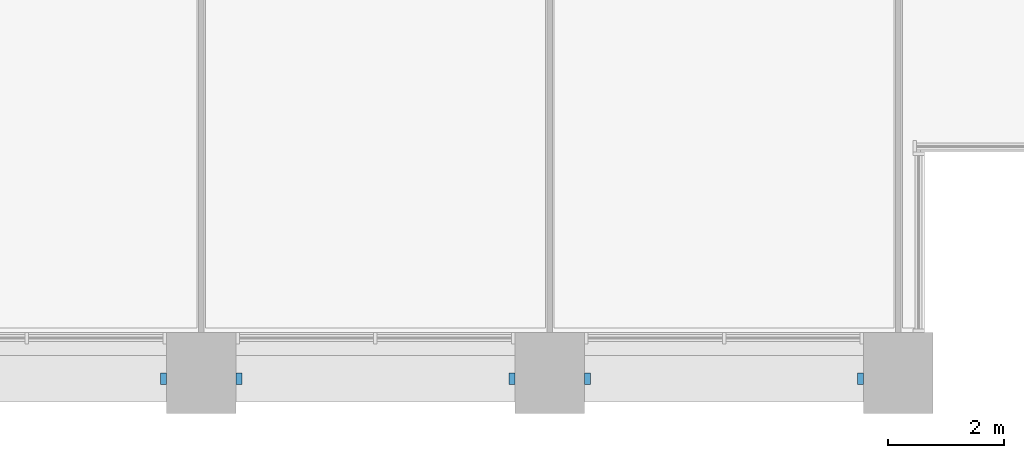
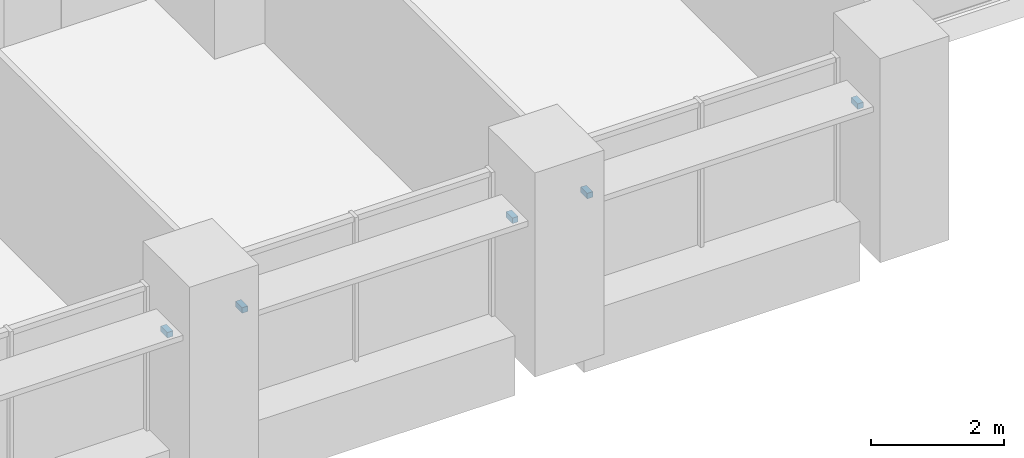
# One storey, part 16 of 18: 5 discrete accessories.
"""IFC4 building model written with IfcOpenShell, lengths in metres."""

from ifc_helpers import new_model, si_unit, direction, frame, origin, origin_2d, place, context, subcontext, project, spatial, rectangle, extrude, element, save


model = new_model("IFC4")

# Units and contexts
model_context = context("Model", 3, precision=1e-05, world=origin(), true_north=direction((0.0, 1.0)))
body_context = subcontext(model_context, "Body", "Model", "MODEL_VIEW")
ifc_project = project(units=[si_unit("LENGTHUNIT", "METRE"), si_unit("AREAUNIT", "SQUARE_METRE"), si_unit("VOLUMEUNIT", "CUBIC_METRE"), si_unit("PLANEANGLEUNIT", "RADIAN"), si_unit("MASSUNIT", "GRAM", prefix="KILO")], contexts=[model_context])

# Site, building, storey
site_placement = place(None, origin())
site = spatial("IfcSite", under=ifc_project, at=site_placement, CompositionType="ELEMENT")
building_placement = place(site_placement, origin())
building = spatial("IfcBuilding", under=site, at=building_placement, Name="Calvaro Tower", CompositionType="ELEMENT")
storey_placement = place(building_placement, frame((0.0, 0.0, 26.25)))
storey = spatial("IfcBuildingStorey", under=building, at=storey_placement, Name="L05", CompositionType="ELEMENT", Elevation=26.25)

# Discrete accessories
for number, where, z_axis, x_axis, name in (
    (1, (59.35009765625, 0.60009765625, 2.14990234375), (0.0, 0.0, 1.0), (1.0, 0.0, 0.0), "Brise-soleil bracket"),
    (2, (60.64990234375, 0.60009765625, 2.14990234375), (0.0, 0.0, 1.0), (1.0, 0.0, 0.0), "Brise-soleil bracket"),
    (3, (65.35009765625, 0.60009765625, 2.14990234375), (0.0, 0.0, 1.0), (1.0, 0.0, 0.0), "Brise-soleil bracket"),
    (4, (66.64990234375, 0.60009765625, 2.14990234375), (0.0, 0.0, 1.0), (1.0, 0.0, 0.0), "Brise-soleil bracket"),
    (5, (71.35009765625, 0.60009765625, 2.14990234375), (0.0, 0.0, 1.0), (1.0, 0.0, 0.0), "Brise-soleil bracket"),
):
    element("IfcDiscreteAccessory", number, at=place(storey_placement, frame(where, z_axis=z_axis, x_axis=x_axis)), inside=storey, Name=name, PredefinedType="BRACKET", context=body_context, shape_type="SweptSolid", body=[
        extrude(rectangle(XDim=0.10009765625, YDim=0.199951171875, at=origin_2d()), origin(), (0.0, 0.0, 1.0), 0.10009765625),
    ])

save(model, "model.ifc")
